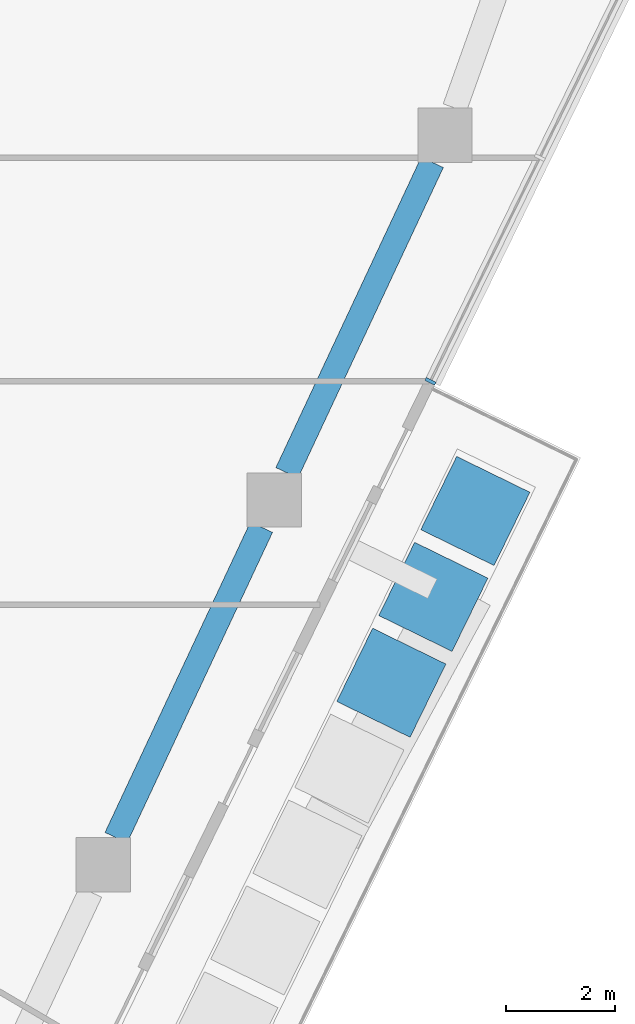
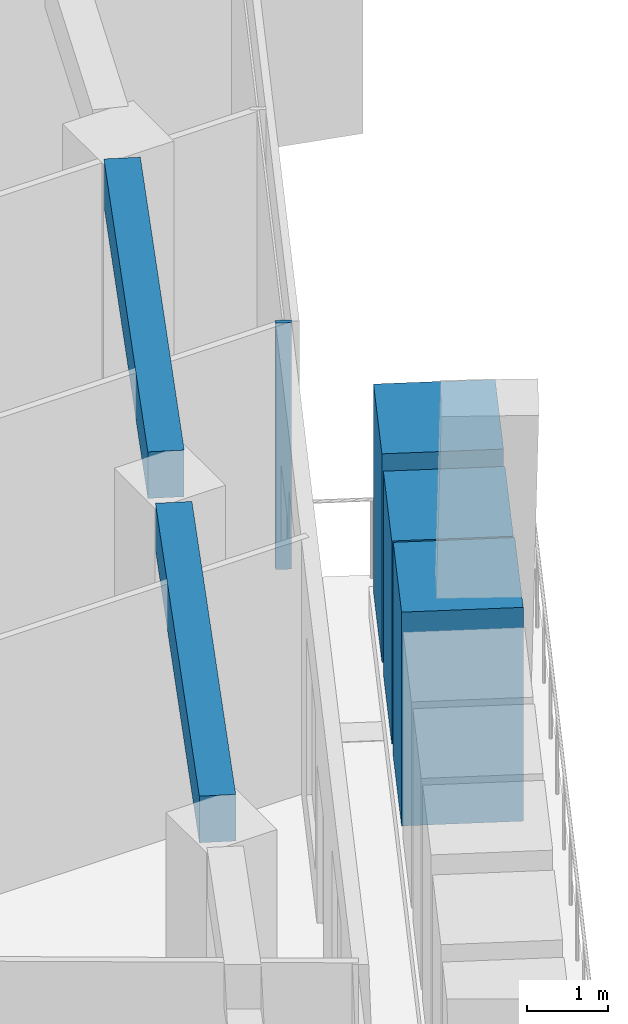
# One storey, part 5 of 23: 4 members, 2 beams, 1 element without a shape of its own.
"""IFC4 building model written with IfcOpenShell, lengths in metres."""

from ifc_helpers import new_model, si_unit, direction, frame, origin, origin_2d, place, context, subcontext, project, spatial, rectangle, extrude, material, layer, layer_set, material_profile, profile_set, type_object, element, aggregate, save


model = new_model("IFC4")

# Units and contexts
model_context = context("Model", 3, precision=1e-05, world=origin(), true_north=direction((0.0, 1.0)))
body_context = subcontext(model_context, "Body", "Model", "MODEL_VIEW")
ifc_project = project(units=[si_unit("LENGTHUNIT", "METRE"), si_unit("AREAUNIT", "SQUARE_METRE"), si_unit("VOLUMEUNIT", "CUBIC_METRE"), si_unit("PLANEANGLEUNIT", "RADIAN"), si_unit("MASSUNIT", "GRAM", prefix="KILO")], contexts=[model_context])

# Site, building, storey
site_placement = place(None, origin())
site = spatial("IfcSite", under=ifc_project, at=site_placement, CompositionType="ELEMENT")
building_placement = place(site_placement, origin())
building = spatial("IfcBuilding", under=site, at=building_placement, Name="Dongbaek Canopy Tower", CompositionType="ELEMENT")
storey_placement = place(building_placement, frame((0.0, 0.0, 340.39990234375)))
storey = spatial("IfcBuildingStorey", under=building, at=storey_placement, Name="L73", CompositionType="ELEMENT", Elevation=340.39990234375)

# Curtain wall, member
ifc_material_1 = material(Name="Aluminium 6063-T6 pale anodised", Category="aluminium")
ifc_layer = layer(ifc_material_1, 0.199951171875)
ifc_layer_set = layer_set([ifc_layer], Name="CW-1 unitised tower curtain wall")
curtain_wall_type = type_object("IfcCurtainWallType", Name="CW-1 unitised tower curtain wall", PredefinedType="NOTDEFINED", material=ifc_layer_set)
curtain_wall_placement = place(storey_placement, origin())
curtain_wall = element("IfcCurtainWall", 1, at=curtain_wall_placement, inside=storey, type_object=curtain_wall_type, Name="CW-1 curtain wall F5.1", PredefinedType="NOTDEFINED")
ifc_material_2 = material(Name="Aluminium 6063-T6 pale anodised", Category="aluminium")
ifc_material_profile_1 = material_profile(ifc_material_2, rectangle(XDim=0.199951171875, YDim=0.06005859375, at=origin_2d()), Name="CW-1 mullion 60 x 200")
ifc_profile_set_1 = profile_set([ifc_material_profile_1], Name="Aluminium 6063-T6 pale anodised")
member_type_1 = type_object("IfcMemberType", Name="CW-1 mullion 60 x 200", PredefinedType="MULLION", material=ifc_profile_set_1)
member_1_placement = place(storey_placement, frame((28.08251953125, -4.6962890625, 0.1201171875), z_axis=(0.0, 0.0, 1.0), x_axis=(0.89832218457, -0.439337288093, 0.0)))
member_1 = element("IfcMember", 2, at=member_1_placement, type_object=member_type_1, Name="CW-1 mullion F5.1.1", PredefinedType="MULLION", context=body_context, shape_type="SweptSolid", body=[
    extrude(rectangle(XDim=0.199951171875, YDim=0.06005859375, at=origin_2d()), origin(), (0.0, 0.0, 1.0), 3.699951171875),
])
aggregate(curtain_wall, [member_1])

# Beams
ifc_material_3 = material(Name="Concrete C60", Category="concrete")
ifc_material_profile_2 = material_profile(ifc_material_3, rectangle(XDim=0.449951171875, YDim=0.699951171875, at=origin_2d()), Name="RC EDGE BEAM 450x700 C60")
ifc_profile_set_2 = profile_set([ifc_material_profile_2], Name="Concrete C60")
beam_type = type_object("IfcBeamType", Name="RC EDGE BEAM 450x700 C60", PredefinedType="BEAM", material=ifc_profile_set_2)
beam_1_placement = place(storey_placement, frame((28.116943359375, -0.669921875, 3.47021484375), z_axis=(-0.42401310583, -0.905656052861, 0.0), x_axis=(0.905656052861, -0.42401310583, 0.0)))
element("IfcBeam", 3, at=beam_1_placement, inside=storey, type_object=beam_type, Name="EDGEBEAM:L73:22", PredefinedType="BEAM", context=body_context, shape_type="SweptSolid", body=[
    extrude(rectangle(XDim=0.449951171875, YDim=0.699951171875, at=origin_2d()), origin(), (0.0, 0.0, 1.0), 6.3037109375),
])
beam_2_placement = place(storey_placement, frame((24.975830078125, -7.37890625, 3.47021484375), z_axis=(-0.424108398663, -0.905611432229, 0.0), x_axis=(0.905611432229, -0.424108398663, 0.0)))
element("IfcBeam", 4, at=beam_2_placement, inside=storey, type_object=beam_type, Name="EDGEBEAM:L73:23", PredefinedType="BEAM", context=body_context, shape_type="SweptSolid", body=[
    extrude(rectangle(XDim=0.449951171875, YDim=0.699951171875, at=origin_2d()), origin(), (0.0, 0.0, 1.0), 6.303955078125),
])

# Members
ifc_material_4 = material(Name="Concrete C40/50 planter mass with planting", Category="concrete")
ifc_material_profile_3 = material_profile(ifc_material_4, rectangle(XDim=1.5, YDim=1.5, at=origin_2d()), Name="Terrace PLANTER shrub mass 1500 x 1500")
ifc_profile_set_3 = profile_set([ifc_material_profile_3], Name="Concrete C40/50 planter mass with planting")
member_type_2 = type_object("IfcMemberType", Name="Terrace PLANTER shrub mass 1500 x 1500", PredefinedType="USERDEFINED", material=ifc_profile_set_3)
member_2_placement = place(storey_placement, frame((27.3642578125, -10.239501953125, 0.420166015625), z_axis=(0.0, 0.0, 1.0), x_axis=(0.89832218457, -0.439337288093, 0.0)))
element("IfcMember", 5, at=member_2_placement, inside=storey, type_object=member_type_2, Name="Planter shrubs L73 5.10", ObjectType="PLANTER", PredefinedType="USERDEFINED", context=body_context, shape_type="SweptSolid", body=[
    extrude(rectangle(XDim=1.5, YDim=1.5, at=origin_2d()), origin(), (0.0, 0.0, 1.0), 3.2099609375),
])
member_3_placement = place(storey_placement, frame((28.13671875, -8.66015625, 0.420166015625), z_axis=(0.0, 0.0, 1.0), x_axis=(0.89832218457, -0.439337288093, 0.0)))
element("IfcMember", 6, at=member_3_placement, inside=storey, type_object=member_type_2, Name="Planter shrubs L73 5.11", ObjectType="PLANTER", PredefinedType="USERDEFINED", context=body_context, shape_type="SweptSolid", body=[
    extrude(rectangle(XDim=1.5, YDim=1.5, at=origin_2d()), origin(), (0.0, 0.0, 1.0), 3.050048828125),
])
member_4_placement = place(storey_placement, frame((28.908935546875, -7.080810546875, 0.420166015625), z_axis=(0.0, 0.0, 1.0), x_axis=(0.89832218457, -0.439337288093, 0.0)))
element("IfcMember", 7, at=member_4_placement, inside=storey, type_object=member_type_2, Name="Planter shrubs L73 5.12", ObjectType="PLANTER", PredefinedType="USERDEFINED", context=body_context, shape_type="SweptSolid", body=[
    extrude(rectangle(XDim=1.5, YDim=1.5, at=origin_2d()), origin(), (0.0, 0.0, 1.0), 3.1298828125),
])

save(model, "model.ifc")
